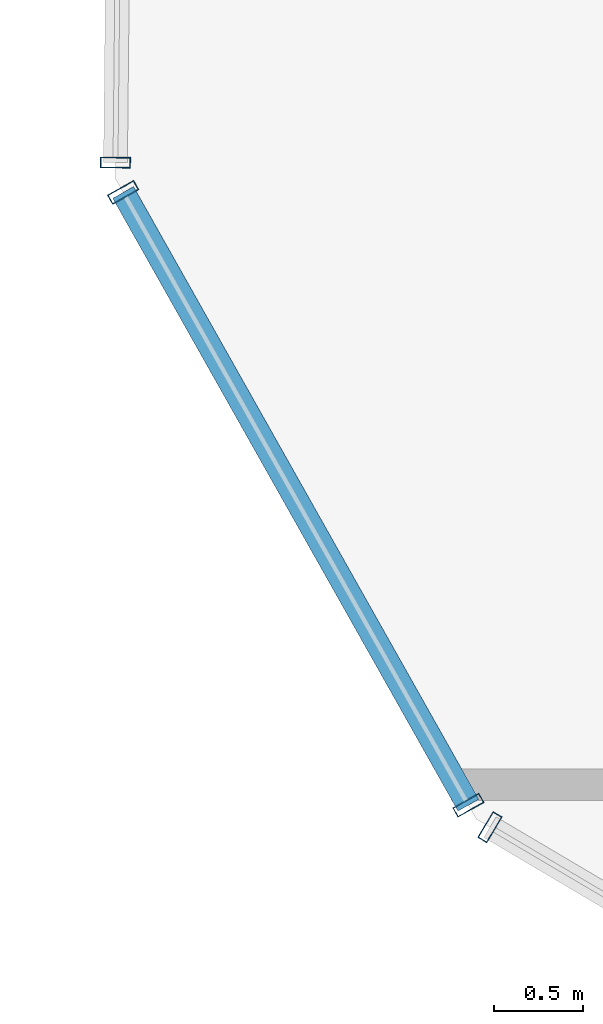
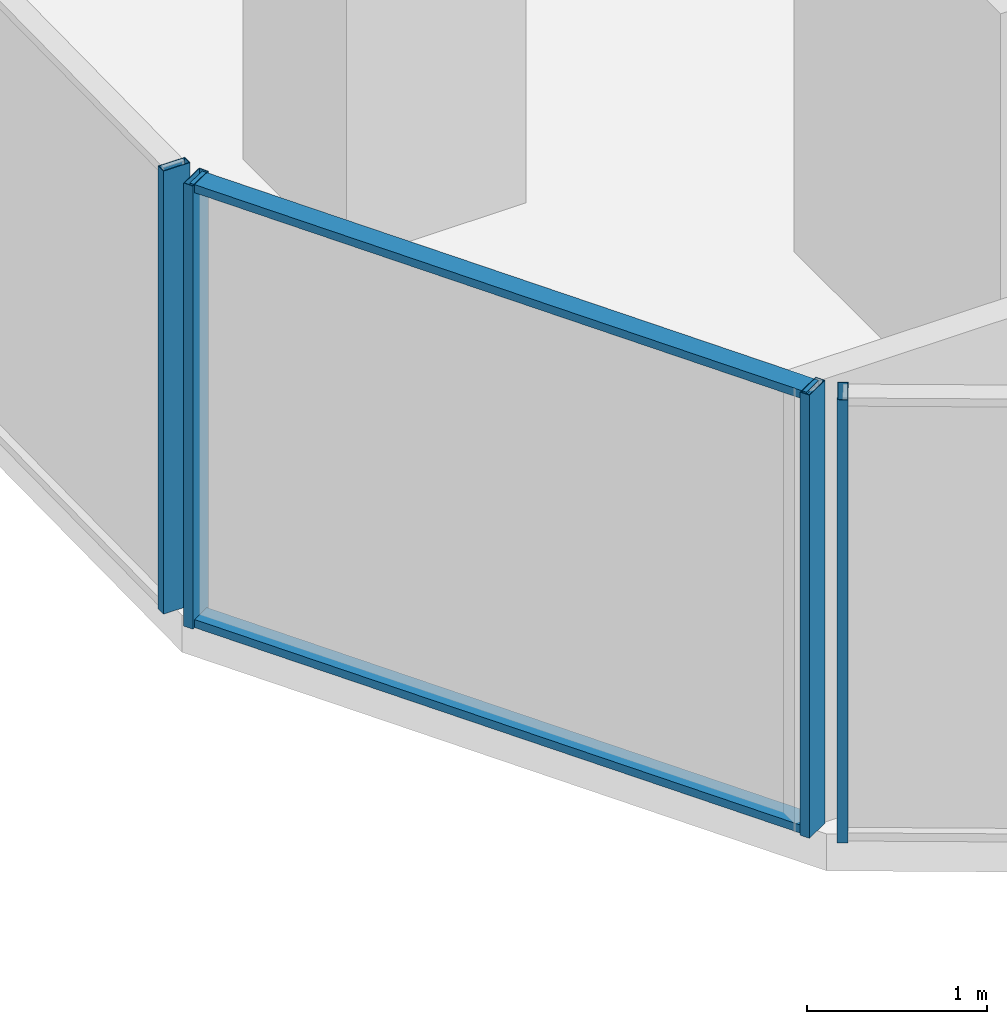
# One storey, part 4 of 30: 6 members, 3 elements without a shape of their own.
"""IFC4 building model written with IfcOpenShell, lengths in metres."""

import ifcopenshell
import ifcopenshell.guid

model = None  # the IFC model being written
_history = None  # IfcOwnerHistory: only IFC2X3 demands one
_inside = {}  # id of a spatial element -> (the spatial element, [elements in it])
_under = {}  # id of a project, library or spatial element -> (it, [spatial elements below it])
_declared = {}  # id of a project -> (the project, [libraries it declares])
_typed = {}  # id of a type object -> (the type object, [elements of that type])
_made_of = {}  # id of a material, layer set ... -> (it, [elements and type objects made of it])


def new_model(schema):
    """Start an empty IFC model of exactly this schema.

    Asked for "IFC4X3", IfcOpenShell would pick the latest addendum, in which some entities
    have other attributes; the version numbers below select the first issue.
    IFC2X3 requires an IfcOwnerHistory on every rooted entity: one is made here for all.
    """
    global model, _history
    if schema == "IFC4X3":
        model = ifcopenshell.file(schema_version=(4, 3, 0, 0))
    else:
        model = ifcopenshell.file(schema=schema)
    _inside.clear()
    _under.clear()
    _declared.clear()
    _typed.clear()
    _made_of.clear()
    _history = None
    if model.schema == "IFC2X3":
        org = make("IfcOrganization", Name="unknown")
        user = make(
            "IfcPersonAndOrganization",
            ThePerson=make("IfcPerson", FamilyName="unknown"),
            TheOrganization=org,
        )
        app = make(
            "IfcApplication",
            ApplicationDeveloper=org,
            Version="unknown",
            ApplicationFullName="unknown",
            ApplicationIdentifier="unknown",
        )
        _history = make(
            "IfcOwnerHistory",
            OwningUser=user,
            OwningApplication=app,
            ChangeAction="ADDED",
            CreationDate=0,
        )
    return model


def make(cls, **values):
    """One entity of the class cls with the attributes given. An attribute that is None is left unset."""
    return model.create_entity(
        cls, **{name: value for name, value in values.items() if value is not None}
    )


def rooted(cls, **values):
    """An entity with a GlobalId (a new one), such as an element, a storey or a relation."""
    return make(cls, GlobalId=ifcopenshell.guid.new(), OwnerHistory=_history, **values)


def si_unit(unit_type, name, prefix=None):
    """IfcSIUnit, for example si_unit("LENGTHUNIT", "METRE", prefix="MILLI")."""
    return make("IfcSIUnit", UnitType=unit_type, Prefix=prefix, Name=name)


def assignment(units):
    """IfcUnitAssignment: the units of a project."""
    return None if units is None else make("IfcUnitAssignment", Units=units)


def point(xyz):
    """IfcCartesianPoint."""
    return None if xyz is None else make("IfcCartesianPoint", Coordinates=xyz)


def direction(xyz):
    """IfcDirection."""
    return None if xyz is None else make("IfcDirection", DirectionRatios=xyz)


def frame(location, z_axis=None, x_axis=None):
    """IfcAxis2Placement3D, a coordinate frame: its origin and axes. An axis left out is left unset."""
    return make(
        "IfcAxis2Placement3D",
        Location=point(location),
        Axis=direction(z_axis),
        RefDirection=direction(x_axis),
    )


def frame_2d(location, x_axis=None):
    """IfcAxis2Placement2D, a coordinate frame in the plane: its origin and x axis."""
    return make(
        "IfcAxis2Placement2D", Location=point(location), RefDirection=direction(x_axis)
    )


def origin():
    """The frame at (0, 0, 0) with its axes left unset."""
    return frame((0.0, 0.0, 0.0))


def origin_2d():
    """The frame at (0, 0) in the plane with its x axis left unset."""
    return frame_2d((0.0, 0.0))


def place(relative_to, where):
    """IfcLocalPlacement: puts the frame where relative to a parent placement (None: the world)."""
    return make(
        "IfcLocalPlacement", PlacementRelTo=relative_to, RelativePlacement=where
    )


def context(
    kind, dimensions, precision=None, world=None, true_north=None, identifier=None
):
    """IfcGeometricRepresentationContext, for example the 3D "Model" context."""
    return make(
        "IfcGeometricRepresentationContext",
        ContextIdentifier=identifier,
        ContextType=kind,
        CoordinateSpaceDimension=dimensions,
        Precision=precision,
        WorldCoordinateSystem=world,
        TrueNorth=true_north,
    )


def subcontext(parent, identifier, kind, view, scale=None):
    """IfcGeometricRepresentationSubContext, for example "Body" below "Model"."""
    return make(
        "IfcGeometricRepresentationSubContext",
        ContextIdentifier=identifier,
        ContextType=kind,
        ParentContext=parent,
        TargetScale=scale,
        TargetView=view,
    )


def project(units=None, contexts=None):
    """IfcProject with its units and contexts."""
    return rooted(
        "IfcProject",
        Name="project",
        RepresentationContexts=contexts,
        UnitsInContext=assignment(units),
    )


def spatial(cls, under=None, at=None, **own):
    """A site, building, storey or space (cls), placed at a placement, below another one or the project."""
    s = rooted(cls, ObjectPlacement=at, **own)
    if under is not None:
        _under.setdefault(under.id(), (under, []))[1].append(s)
    return s


def profile(cls, at=None, kind="AREA", **sizes):
    """A parametric profile (cls). Its sizes go by their IFC names, for example OverallWidth=200.0."""
    return make(cls, ProfileType=kind, Position=at, **sizes)


def hollow_rectangle(**sizes):
    """IfcRectangleHollowProfileDef."""
    return profile("IfcRectangleHollowProfileDef", **sizes)


def extrude(swept, where, along, depth):
    """IfcExtrudedAreaSolid: the profile swept, set in the frame where, extruded along a direction by depth."""
    return make(
        "IfcExtrudedAreaSolid",
        SweptArea=swept,
        Position=where,
        ExtrudedDirection=direction(along),
        Depth=depth,
    )


def shape(context_of_items, identifier, shape_type, items):
    """IfcShapeRepresentation: the items that make up one representation, for example the "Body"."""
    return make(
        "IfcShapeRepresentation",
        ContextOfItems=context_of_items,
        RepresentationIdentifier=identifier,
        RepresentationType=shape_type,
        Items=items,
    )


def source(mapping_origin, context_of_items, identifier, shape_type, items):
    """IfcRepresentationMap: a shape defined once, which mapped items show again and again."""
    return make(
        "IfcRepresentationMap",
        MappingOrigin=mapping_origin,
        MappedRepresentation=shape(context_of_items, identifier, shape_type, items),
    )


def transform(
    local_origin,
    x_axis=None,
    y_axis=None,
    z_axis=None,
    scale=None,
    scale2=None,
    scale3=None,
    uniform=True,
):
    """IfcCartesianTransformationOperator3D, or its non-uniform kind. x_axis, y_axis, z_axis: its Axis1, 2, 3."""
    if uniform:
        return make(
            "IfcCartesianTransformationOperator3D",
            Axis1=direction(x_axis),
            Axis2=direction(y_axis),
            LocalOrigin=point(local_origin),
            Scale=scale,
            Axis3=direction(z_axis),
        )
    return make(
        "IfcCartesianTransformationOperator3DnonUniform",
        Axis1=direction(x_axis),
        Axis2=direction(y_axis),
        LocalOrigin=point(local_origin),
        Scale=scale,
        Axis3=direction(z_axis),
        Scale2=scale2,
        Scale3=scale3,
    )


def mapped(mapping_source, mapping_target):
    """IfcMappedItem: shows the shape of a source again, moved by a transform."""
    return make(
        "IfcMappedItem", MappingSource=mapping_source, MappingTarget=mapping_target
    )


def material(Name=None, Category=None):
    """IfcMaterial."""
    return make("IfcMaterial", Name=Name, Category=Category)


def layer(
    of_material, thickness, ventilated=None, Name=None, Category=None, Priority=None
):
    """IfcMaterialLayer: one layer of a wall or slab, of a material (None: an air gap)."""
    return make(
        "IfcMaterialLayer",
        Material=of_material,
        LayerThickness=thickness,
        IsVentilated=ventilated,
        Name=Name,
        Category=Category,
        Priority=Priority,
    )


def layer_set(layers, Name=None):
    """IfcMaterialLayerSet."""
    return make("IfcMaterialLayerSet", MaterialLayers=layers, LayerSetName=Name)


def material_profile(
    of_material, cross_section, Name=None, Category=None, Priority=None
):
    """IfcMaterialProfile: a cross section and its material."""
    return make(
        "IfcMaterialProfile",
        Name=Name,
        Material=of_material,
        Profile=cross_section,
        Priority=Priority,
        Category=Category,
    )


def profile_set(profiles, Name=None, composite=None):
    """IfcMaterialProfileSet."""
    return make(
        "IfcMaterialProfileSet",
        Name=Name,
        MaterialProfiles=profiles,
        CompositeProfile=composite,
    )


def made_of(thing, what):
    """Note that an element or type object is made of a material, layer set ...; save() writes the relation."""
    if what is not None:
        _made_of.setdefault(what.id(), (what, []))[1].append(thing)
    return thing


def type_object(cls, material=None, **own):
    """A type object (cls), such as IfcWallType, which elements share."""
    return made_of(rooted(cls, **own), material)


def element(
    cls,
    number,
    at=None,
    inside=None,
    cuts=None,
    type_object=None,
    material=None,
    context=None,
    identifier="Body",
    shape_type=None,
    held_by="IfcProductDefinitionShape",
    body=None,
    shapes=None,
    **own,
):
    """One element of the class cls, such as IfcWall. Its Tag is "e" and its number.

    at: its placement. inside: the storey or other place that contains it. cuts: it is an
    opening in that element (IfcRelVoidsElement). A single representation is given by context,
    identifier, shape_type and body (its items); several are given by shapes. held_by: the class
    of the entity that holds the representations. save() writes the other relations.
    """
    e = rooted(cls, Tag="e%d" % number, ObjectPlacement=at, **own)
    if body is not None:
        shapes = [shape(context, identifier, shape_type, body)]
    if shapes is not None:
        e.Representation = make(held_by, Representations=shapes)
    if inside is not None:
        _inside.setdefault(inside.id(), (inside, []))[1].append(e)
    if cuts is not None:
        rooted(
            "IfcRelVoidsElement", RelatingBuildingElement=cuts, RelatedOpeningElement=e
        )
    if type_object is not None:
        _typed.setdefault(type_object.id(), (type_object, []))[1].append(e)
    return made_of(e, material)


def aggregate(whole, parts):
    """IfcRelAggregates: a whole, such as a stair, and the parts it consists of."""
    return rooted("IfcRelAggregates", RelatingObject=whole, RelatedObjects=parts)


def save(model, path):
    """Write the relations noted so far, then the file.

    IfcRelAggregates (storeys below a building ...), IfcRelContainedInSpatialStructure (elements
    in a storey), IfcRelDefinesByType, IfcRelAssociatesMaterial and IfcRelDeclares: one each for
    every whole, place, type object, material and project.
    """
    for whole, parts in _under.values():
        aggregate(whole, parts)
    for where, things in _inside.values():
        rooted(
            "IfcRelContainedInSpatialStructure",
            RelatedElements=things,
            RelatingStructure=where,
        )
    for kind, things in _typed.values():
        rooted("IfcRelDefinesByType", RelatedObjects=things, RelatingType=kind)
    for what, things in _made_of.values():
        rooted("IfcRelAssociatesMaterial", RelatedObjects=things, RelatingMaterial=what)
    for by, libraries in _declared.values():
        rooted("IfcRelDeclares", RelatingContext=by, RelatedDefinitions=libraries)
    model.write(path)


model = new_model("IFC4")

# Units and contexts
model_context = context("Model", 3, precision=1e-05, world=origin(), true_north=direction((0.0, 1.0)))
body_context = subcontext(model_context, "Body", "Model", "MODEL_VIEW")
ifc_project = project(units=[si_unit("LENGTHUNIT", "METRE"), si_unit("AREAUNIT", "SQUARE_METRE"), si_unit("VOLUMEUNIT", "CUBIC_METRE"), si_unit("PLANEANGLEUNIT", "RADIAN"), si_unit("MASSUNIT", "GRAM", prefix="KILO")], contexts=[model_context])

# Site, building, storey
site_placement = place(None, origin())
site = spatial("IfcSite", under=ifc_project, at=site_placement, CompositionType="ELEMENT")
building_placement = place(site_placement, origin())
building = spatial("IfcBuilding", under=site, at=building_placement, Name="Veraguas Prism Commons", CompositionType="ELEMENT")
storey_placement = place(building_placement, frame((0.0, 0.0, 126.25)))
storey = spatial("IfcBuildingStorey", under=building, at=storey_placement, Name="L35", CompositionType="ELEMENT", Elevation=126.25)

# Curtain wall, member
ifc_material = material(Name="Anodised aluminium EN AW-6063 T6", Category="aluminium")
ifc_layer = layer(ifc_material, 0.169921875, Name="Unitised Flush Curtain Wall Zone 2", Category="aluminium")
ifc_layer_set = layer_set([ifc_layer], Name="Anodised aluminium EN AW-6063 T6")
curtain_wall_type = type_object("IfcCurtainWallType", Name="Unitised Flush Curtain Wall Zone 2", PredefinedType="NOTDEFINED", material=ifc_layer_set)
curtain_wall_1_placement = place(storey_placement, origin())
curtain_wall_1 = element("IfcCurtainWall", 1, at=curtain_wall_1_placement, inside=storey, type_object=curtain_wall_type, Name="Tower Facade Curtain Wall L35-F3", PredefinedType="NOTDEFINED")
ifc_material_profile_1 = material_profile(ifc_material, hollow_rectangle(XDim=0.06005859375, YDim=0.169921875, WallThickness=0.00390625, at=origin_2d()), Name="AL60X170X4")
ifc_profile_set_1 = profile_set([ifc_material_profile_1], Name="Anodised aluminium EN AW-6063 T6")
member_type_1 = type_object("IfcMemberType", Name="Curtain Wall Mullion Lower AL 60x170x4", PredefinedType="MULLION", material=ifc_profile_set_1)
shared_shape_1 = source(origin(), body_context, "Body", "SweptSolid", [
    extrude(hollow_rectangle(XDim=0.06005859375, YDim=0.169921875, WallThickness=0.00390625, at=origin_2d()), origin(), (0.0, 0.0, 1.0), 3.0),
])
member_1_placement = place(storey_placement, frame((4.728515625, 15.6142578125, 0.0), z_axis=(0.0, 0.0, 1.0), x_axis=(-0.01047876505, -0.999945096234, 0.0)))
member_1 = element("IfcMember", 2, at=member_1_placement, type_object=member_type_1, Name="CW-Z2 Mullion 5", PredefinedType="MULLION", context=body_context, shape_type="MappedRepresentation", body=[
    mapped(shared_shape_1, transform((0.0, 0.0, 0.0), scale=1.0)),
])
aggregate(curtain_wall_1, [member_1])

curtain_wall_2_placement = place(storey_placement, origin())
curtain_wall_2 = element("IfcCurtainWall", 3, at=curtain_wall_2_placement, inside=storey, type_object=curtain_wall_type, Name="Tower Facade Curtain Wall L35-F4", PredefinedType="NOTDEFINED")
member_2_placement = place(storey_placement, frame((6.843994140625, 11.860107421875, 0.0), z_axis=(0.0, 0.0, 1.0), x_axis=(0.860742027004, -0.50904141575, 0.0)))
member_2 = element("IfcMember", 4, at=member_2_placement, type_object=member_type_1, Name="CW-Z2 Mullion 1", PredefinedType="MULLION", context=body_context, shape_type="MappedRepresentation", body=[
    mapped(shared_shape_1, transform((0.0, 0.0, 0.0), scale=1.0)),
])
aggregate(curtain_wall_2, [member_2])

# Curtain wall, members
curtain_wall_3_placement = place(storey_placement, origin())
curtain_wall_3 = element("IfcCurtainWall", 5, at=curtain_wall_3_placement, inside=storey, type_object=curtain_wall_type, Name="Chamfer Curtain Wall L35-C4", PredefinedType="NOTDEFINED")
member_3_placement = place(storey_placement, frame((4.77197265625, 15.44580078125, 0.0), z_axis=(0.0, 0.0, 1.0), x_axis=(0.490891589128, -0.871220665345, 0.0)))
member_3 = element("IfcMember", 6, at=member_3_placement, type_object=member_type_1, Name="CW-Z2 Mullion 1", PredefinedType="MULLION", context=body_context, shape_type="MappedRepresentation", body=[
    mapped(shared_shape_1, transform((0.0, 0.0, 0.0), scale=1.0)),
])
member_4_placement = place(storey_placement, frame((6.72216796875, 11.984375, 0.0), z_axis=(0.0, 0.0, 1.0), x_axis=(0.490891589128, -0.871220665345, 0.0)))
member_4 = element("IfcMember", 7, at=member_4_placement, type_object=member_type_1, Name="CW-Z2 Mullion 2", PredefinedType="MULLION", context=body_context, shape_type="MappedRepresentation", body=[
    mapped(shared_shape_1, transform((0.0, 0.0, 0.0), scale=1.0)),
])
ifc_material_profile_2 = material_profile(ifc_material, hollow_rectangle(XDim=0.054931640625, YDim=0.135009765625, WallThickness=0.0029296875, at=origin_2d()), Name="AL55X135X3")
ifc_profile_set_2 = profile_set([ifc_material_profile_2], Name="Anodised aluminium EN AW-6063 T6")
member_type_2 = type_object("IfcMemberType", Name="Curtain Wall Transom Standard AL 55x135x3", PredefinedType="USERDEFINED", material=ifc_profile_set_2)
shared_shape_2 = source(origin(), body_context, "Body", "SweptSolid", [
    extrude(hollow_rectangle(XDim=0.054931640625, YDim=0.135009765625, WallThickness=0.0029296875, at=origin_2d()), origin(), (0.0, 0.0, 1.0), 3.972900390625),
])
member_5_placement = place(storey_placement, frame((4.77197265625, 15.44580078125, 0.027587890625), z_axis=(0.490862129025, -0.871237264061, 0.0), x_axis=(0.0, 0.0, 1.0)))
member_5 = element("IfcMember", 8, at=member_5_placement, type_object=member_type_2, Name="CW-Z2 Transom 1", ObjectType="TRANSOM", PredefinedType="USERDEFINED", context=body_context, shape_type="MappedRepresentation", body=[
    mapped(shared_shape_2, transform((0.0, 0.0, 0.0), scale=1.0)),
])
member_6_placement = place(storey_placement, frame((4.77197265625, 15.44580078125, 2.972412109375), z_axis=(0.490862129025, -0.871237264061, 0.0), x_axis=(0.0, 0.0, 1.0)))
member_6 = element("IfcMember", 9, at=member_6_placement, type_object=member_type_2, Name="CW-Z2 Transom 2", ObjectType="TRANSOM", PredefinedType="USERDEFINED", context=body_context, shape_type="MappedRepresentation", body=[
    mapped(shared_shape_2, transform((0.0, 0.0, 0.0), scale=1.0)),
])
aggregate(curtain_wall_3, [member_3, member_4, member_5, member_6])

save(model, "model.ifc")
